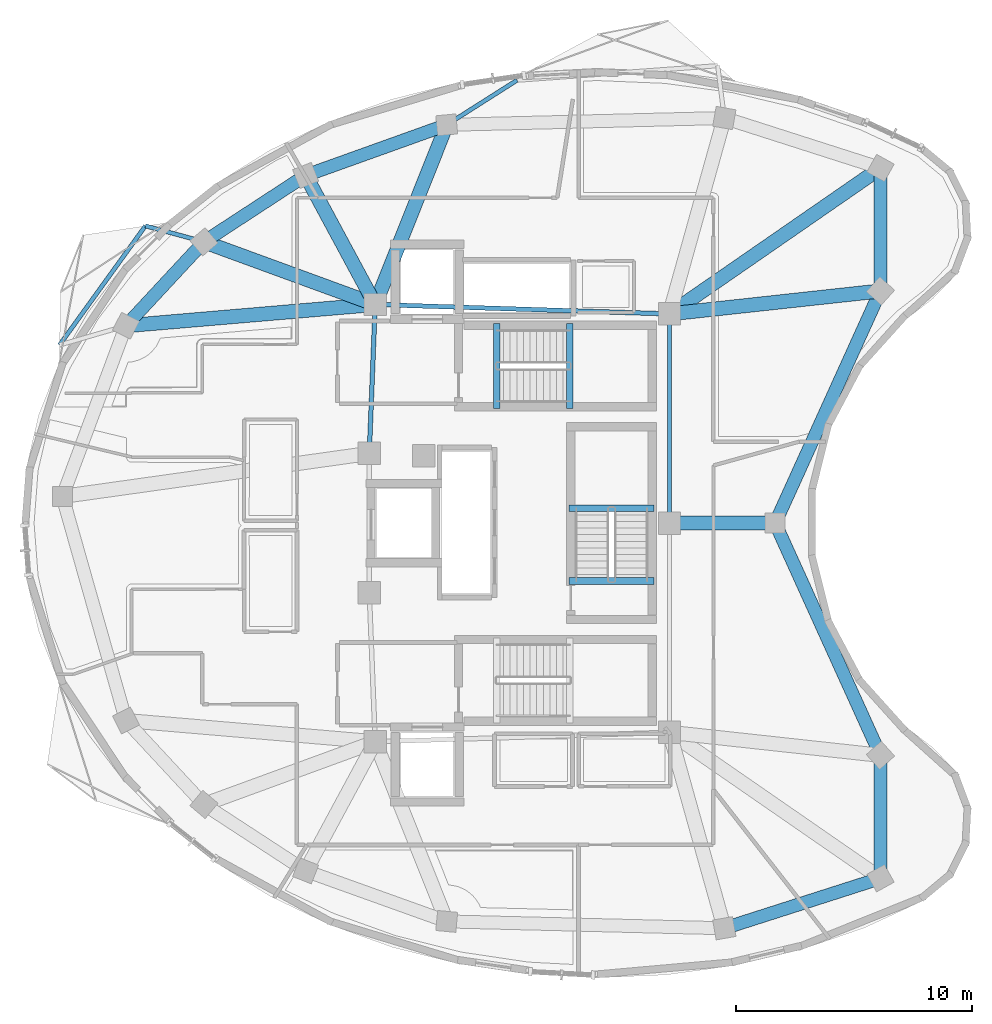
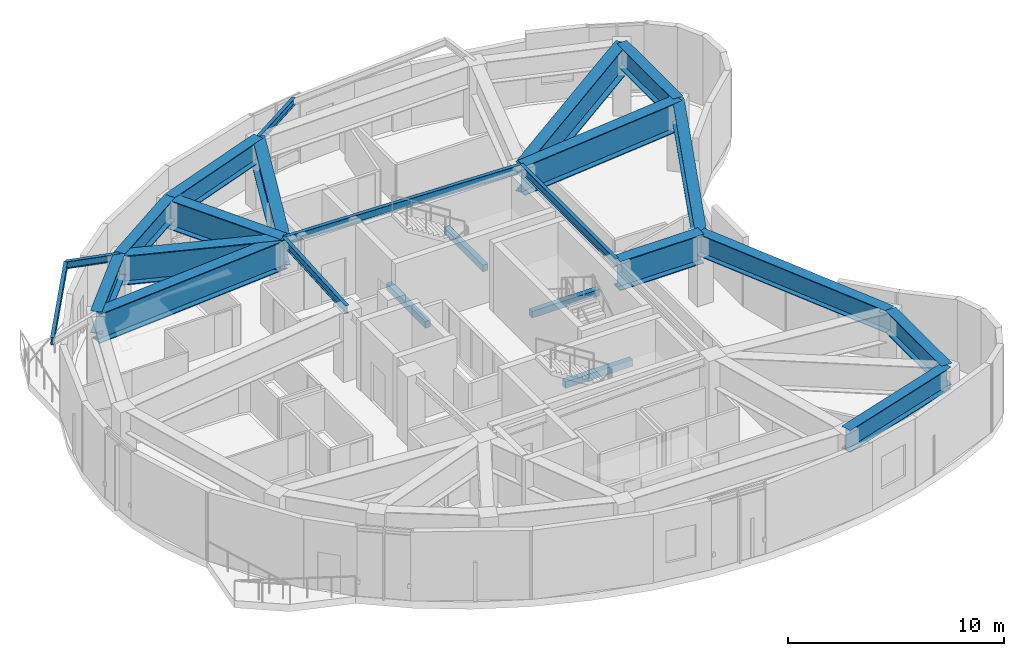
# One storey, part 3 of 12: 25 beams.
"""IFC4 building model written with IfcOpenShell, lengths in metres."""

from ifc_helpers import new_model, si_unit, direction, frame, origin, origin_2d, place, context, subcontext, project, spatial, rectangle, i_section, extrude, material, material_profile, profile_set, type_object, element, save


model = new_model("IFC4")

# Units and contexts
model_context = context("Model", 3, precision=1e-05, world=origin(), true_north=direction((0.0, 1.0)))
body_context = subcontext(model_context, "Body", "Model", "MODEL_VIEW")
ifc_project = project(units=[si_unit("LENGTHUNIT", "METRE"), si_unit("AREAUNIT", "SQUARE_METRE"), si_unit("VOLUMEUNIT", "CUBIC_METRE"), si_unit("PLANEANGLEUNIT", "RADIAN"), si_unit("MASSUNIT", "GRAM", prefix="KILO")], contexts=[model_context])

# Site, building, storey
site_placement = place(None, origin())
site = spatial("IfcSite", under=ifc_project, at=site_placement, CompositionType="ELEMENT")
building_placement = place(site_placement, origin())
building = spatial("IfcBuilding", under=site, at=building_placement, Name="Korentha Bioscience Tower", CompositionType="ELEMENT")
storey_placement = place(building_placement, frame((0.0, 0.0, 286.800048828125)))
storey = spatial("IfcBuildingStorey", under=building, at=storey_placement, Name="L66", CompositionType="ELEMENT", Elevation=286.800048828125)

# Beams
ifc_material_1 = material(Name="Concrete C50", Category="concrete")
ifc_material_profile_1 = material_profile(ifc_material_1, rectangle(XDim=0.280029296875, YDim=0.3798828125, at=origin_2d()), Name="Concrete C50")
ifc_profile_set_1 = profile_set([ifc_material_profile_1], Name="Concrete C50 (ST-HB380)")
beam_type_1 = type_object("IfcBeamType", Name="Concrete Stair Header Beam RC 280x380", PredefinedType="BEAM", material=ifc_profile_set_1)
for number, where, z_axis, x_axis, name in (
    (1, (30.25, 31.85009765625, -0.18994140625), (0.0, 1.0, 0.0), (-1.0, 0.0, 0.0), "L66 ST-1 Concrete Stair Header Beam"),
    (2, (33.330078125, 31.85009765625, 1.909912109375), (0.0, 1.0, 0.0), (-1.0, 0.0, 0.0), "L66 ST-1 Half-Landing Header Beam 1"),
    (3, (36.89990234375, 24.550048828125, -0.18994140625), (-1.0, 0.0, 0.0), (0.0, -1.0, 0.0), "L66 ST-3 Concrete Stair Header Beam"),
    (4, (36.89990234375, 27.6298828125, 1.909912109375), (-1.0, 0.0, 0.0), (0.0, -1.0, 0.0), "L66 ST-3 Half-Landing Header Beam 1"),
):
    element("IfcBeam", number, at=place(storey_placement, frame(where, z_axis=z_axis, x_axis=x_axis)), inside=storey, type_object=beam_type_1, Name=name, PredefinedType="BEAM", context=body_context, shape_type="SweptSolid", body=[
        extrude(rectangle(XDim=0.280029296875, YDim=0.3798828125, at=origin_2d()), origin(), (0.0, 0.0, 1.0), 3.599853515625),
    ])
ifc_material_2 = material(Name="Steel S355", Category="steel")
ifc_material_profile_2 = material_profile(ifc_material_2, i_section(OverallWidth=0.550048828125, OverallDepth=1.25, WebThickness=0.02392578125, FlangeThickness=0.0400390625, at=origin_2d()), Name="Steel S355")
ifc_profile_set_2 = profile_set([ifc_material_profile_2], Name="Steel S355 (TG-03)")
beam_type_2 = type_object("IfcBeamType", Name="Crown Step Transfer Girder CVS 1250x510", PredefinedType="USERDEFINED", material=ifc_profile_set_2)
beam_1_placement = place(storey_placement, frame((28.125732421875, 43.848876953125, 3.27490234375), z_axis=(-0.941344019681, -0.337448420668, 0.0), x_axis=(0.337448420668, -0.941344019681, 0.0)))
element("IfcBeam", 5, at=beam_1_placement, inside=storey, type_object=beam_type_2, Name="L66 Perimeter Spandrel Girder 03", ObjectType="TRANSFER_GIRDER", PredefinedType="USERDEFINED", context=body_context, shape_type="SweptSolid", body=[
    extrude(i_section(OverallWidth=0.550048828125, OverallDepth=1.25, WebThickness=0.02392578125, FlangeThickness=0.0400390625, at=origin_2d()), origin(), (0.0, 0.0, 1.0), 6.340576171875),
])
beam_2_placement = place(storey_placement, frame((22.156982421875, 41.709228515625, 3.27490234375), z_axis=(-0.837370389089, -0.546635922234, 0.0), x_axis=(0.546635922234, -0.837370389089, 0.0)))
element("IfcBeam", 6, at=beam_2_placement, inside=storey, type_object=beam_type_2, Name="L66 Perimeter Spandrel Girder 04", ObjectType="TRANSFER_GIRDER", PredefinedType="USERDEFINED", context=body_context, shape_type="SweptSolid", body=[
    extrude(i_section(OverallWidth=0.550048828125, OverallDepth=1.25, WebThickness=0.02392578125, FlangeThickness=0.0400390625, at=origin_2d()), origin(), (0.0, 0.0, 1.0), 5.137451171875),
])
beam_3_placement = place(storey_placement, frame((17.85498046875, 38.90087890625, 3.27490234375), z_axis=(-0.680655927259, -0.732603240976, 0.0), x_axis=(0.732603240976, -0.680655927259, 0.0)))
element("IfcBeam", 7, at=beam_3_placement, inside=storey, type_object=beam_type_2, Name="L66 Perimeter Spandrel Girder 05", ObjectType="TRANSFER_GIRDER", PredefinedType="USERDEFINED", context=body_context, shape_type="SweptSolid", body=[
    extrude(i_section(OverallWidth=0.550048828125, OverallDepth=1.25, WebThickness=0.02392578125, FlangeThickness=0.0400390625, at=origin_2d()), origin(), (0.0, 0.0, 1.0), 4.845458984375),
])
beam_4_placement = place(storey_placement, frame((39.869140625, 9.86181640625, 3.27490234375), z_axis=(0.952374693577, 0.304930226503, 0.0), x_axis=(-0.304930226503, 0.952374693577, 0.0)))
element("IfcBeam", 8, at=beam_4_placement, inside=storey, type_object=beam_type_2, Name="L66 Perimeter Spandrel Girder 12", ObjectType="TRANSFER_GIRDER", PredefinedType="USERDEFINED", context=body_context, shape_type="SweptSolid", body=[
    extrude(i_section(OverallWidth=0.550048828125, OverallDepth=1.25, WebThickness=0.02392578125, FlangeThickness=0.0400390625, at=origin_2d()), origin(), (0.0, 0.0, 1.0), 6.9375),
])
beam_5_placement = place(storey_placement, frame((46.476318359375, 11.977294921875, 3.27490234375), z_axis=(-0.00032863848, 0.999999945998, 0.0), x_axis=(-0.999999945998, -0.00032863848, 0.0)))
element("IfcBeam", 9, at=beam_5_placement, inside=storey, type_object=beam_type_2, Name="L66 Perimeter Spandrel Girder 13", ObjectType="TRANSFER_GIRDER", PredefinedType="USERDEFINED", context=body_context, shape_type="SweptSolid", body=[
    extrude(i_section(OverallWidth=0.550048828125, OverallDepth=1.25, WebThickness=0.02392578125, FlangeThickness=0.0400390625, at=origin_2d()), origin(), (0.0, 0.0, 1.0), 5.2001953125),
])
for number, where, z_axis, x_axis, name in (
    (10, (46.474609375, 17.177490234375, 3.27490234375), (-0.413001207092, 0.910730477661, 0.0), (-0.910730477661, -0.413001207092, 0.0), "L66 Perimeter Spandrel Girder 14"),
    (11, (42.020263671875, 27.0, 3.27490234375), (0.413001207092, 0.910730477661, 0.0), (-0.910730477661, 0.413001207092, 0.0), "L66 Perimeter Spandrel Girder 15"),
):
    element("IfcBeam", number, at=place(storey_placement, frame(where, z_axis=z_axis, x_axis=x_axis)), inside=storey, type_object=beam_type_2, Name=name, ObjectType="TRANSFER_GIRDER", PredefinedType="USERDEFINED", context=body_context, shape_type="SweptSolid", body=[
        extrude(i_section(OverallWidth=0.550048828125, OverallDepth=1.25, WebThickness=0.02392578125, FlangeThickness=0.0400390625, at=origin_2d()), origin(), (0.0, 0.0, 1.0), 10.785400390625),
    ])
beam_6_placement = place(storey_placement, frame((46.474609375, 36.822509765625, 3.27490234375), z_axis=(0.00032863848, 0.999999945998, 0.0), x_axis=(-0.999999945998, 0.00032863848, 0.0)))
element("IfcBeam", 12, at=beam_6_placement, inside=storey, type_object=beam_type_2, Name="L66 Perimeter Spandrel Girder 16", ObjectType="TRANSFER_GIRDER", PredefinedType="USERDEFINED", context=body_context, shape_type="SweptSolid", body=[
    extrude(i_section(OverallWidth=0.550048828125, OverallDepth=1.25, WebThickness=0.02392578125, FlangeThickness=0.0400390625, at=origin_2d()), origin(), (0.0, 0.0, 1.0), 5.2001953125),
])
ifc_material_profile_3 = material_profile(ifc_material_2, i_section(OverallWidth=0.60009765625, OverallDepth=1.64990234375, WebThickness=0.02587890625, FlangeThickness=0.0439453125, at=origin_2d()), Name="Steel S355")
ifc_profile_set_3 = profile_set([ifc_material_profile_3], Name="Steel S355 (TG-04)")
beam_type_3 = type_object("IfcBeamType", Name="Deep Setback Transfer Girder CVS 1650x620", PredefinedType="USERDEFINED", material=ifc_profile_set_3)
beam_7_placement = place(storey_placement, frame((37.550048828125, 35.85009765625, 3.074951171875), z_axis=(0.822499007629, 0.56876654477, 0.0), x_axis=(-0.56876654477, 0.822499007629, 0.0)))
element("IfcBeam", 13, at=beam_7_placement, inside=storey, type_object=beam_type_3, Name="L66 Radial Transfer Girder 01", ObjectType="TRANSFER_GIRDER", PredefinedType="USERDEFINED", context=body_context, shape_type="SweptSolid", body=[
    extrude(i_section(OverallWidth=0.60009765625, OverallDepth=1.64990234375, WebThickness=0.02587890625, FlangeThickness=0.0439453125, at=origin_2d()), origin(), (0.0, 0.0, 1.0), 10.8525390625),
])
beam_8_placement = place(storey_placement, frame((25.10009765625, 36.25, 3.074951171875), z_axis=(0.369923475736, 0.929062227248, 0.0), x_axis=(-0.929062227248, 0.369923475736, 0.0)))
element("IfcBeam", 14, at=beam_8_placement, inside=storey, type_object=beam_type_3, Name="L66 Radial Transfer Girder 03", ObjectType="TRANSFER_GIRDER", PredefinedType="USERDEFINED", context=body_context, shape_type="SweptSolid", body=[
    extrude(i_section(OverallWidth=0.60009765625, OverallDepth=1.64990234375, WebThickness=0.02587890625, FlangeThickness=0.0439453125, at=origin_2d()), origin(), (0.0, 0.0, 1.0), 8.17919921875),
])
beam_9_placement = place(storey_placement, frame((25.10009765625, 36.25, 3.074951171875), z_axis=(-0.474541081143, 0.880233356734, 0.0), x_axis=(-0.880233356734, -0.474541081143, 0.0)))
element("IfcBeam", 15, at=beam_9_placement, inside=storey, type_object=beam_type_3, Name="L66 Radial Transfer Girder 04", ObjectType="TRANSFER_GIRDER", PredefinedType="USERDEFINED", context=body_context, shape_type="SweptSolid", body=[
    extrude(i_section(OverallWidth=0.60009765625, OverallDepth=1.64990234375, WebThickness=0.02587890625, FlangeThickness=0.0439453125, at=origin_2d()), origin(), (0.0, 0.0, 1.0), 6.201904296875),
])
beam_10_placement = place(storey_placement, frame((25.10009765625, 36.25, 3.074951171875), z_axis=(-0.939113387984, 0.343607398798, 0.0), x_axis=(-0.343607398798, -0.939113387984, 0.0)))
element("IfcBeam", 16, at=beam_10_placement, inside=storey, type_object=beam_type_3, Name="L66 Radial Transfer Girder 05", ObjectType="TRANSFER_GIRDER", PredefinedType="USERDEFINED", context=body_context, shape_type="SweptSolid", body=[
    extrude(i_section(OverallWidth=0.60009765625, OverallDepth=1.64990234375, WebThickness=0.02587890625, FlangeThickness=0.0439453125, at=origin_2d()), origin(), (0.0, 0.0, 1.0), 7.71484375),
])
beam_11_placement = place(storey_placement, frame((25.10009765625, 36.25, 3.074951171875), z_axis=(-0.996384971169, -0.084952864741, 0.0), x_axis=(0.084952864741, -0.996384971169, 0.0)))
element("IfcBeam", 17, at=beam_11_placement, inside=storey, type_object=beam_type_3, Name="L66 Radial Transfer Girder 06", ObjectType="TRANSFER_GIRDER", PredefinedType="USERDEFINED", context=body_context, shape_type="SweptSolid", body=[
    extrude(i_section(OverallWidth=0.60009765625, OverallDepth=1.64990234375, WebThickness=0.02587890625, FlangeThickness=0.0439453125, at=origin_2d()), origin(), (0.0, 0.0, 1.0), 10.58154296875),
])
beam_12_placement = place(storey_placement, frame((37.550048828125, 27.0, 3.074951171875), z_axis=(1.0, 0.0, 0.0), x_axis=(0.0, 1.0, 0.0)))
element("IfcBeam", 18, at=beam_12_placement, inside=storey, type_object=beam_type_3, Name="L66 Radial Transfer Girder 15", ObjectType="TRANSFER_GIRDER", PredefinedType="USERDEFINED", context=body_context, shape_type="SweptSolid", body=[
    extrude(i_section(OverallWidth=0.60009765625, OverallDepth=1.64990234375, WebThickness=0.02587890625, FlangeThickness=0.0439453125, at=origin_2d()), origin(), (0.0, 0.0, 1.0), 4.47021484375),
])
beam_13_placement = place(storey_placement, frame((37.550048828125, 35.85009765625, 3.074951171875), z_axis=(0.994116294337, 0.108318019432, 0.0), x_axis=(-0.108318019432, 0.994116294337, 0.0)))
element("IfcBeam", 19, at=beam_13_placement, inside=storey, type_object=beam_type_3, Name="L66 Radial Transfer Girder 16", ObjectType="TRANSFER_GIRDER", PredefinedType="USERDEFINED", context=body_context, shape_type="SweptSolid", body=[
    extrude(i_section(OverallWidth=0.60009765625, OverallDepth=1.64990234375, WebThickness=0.02587890625, FlangeThickness=0.0439453125, at=origin_2d()), origin(), (0.0, 0.0, 1.0), 8.977294921875),
])
ifc_material_profile_4 = material_profile(ifc_material_2, i_section(OverallWidth=0.18994140625, OverallDepth=0.45703125, WebThickness=0.009033203125, FlangeThickness=0.014404296875, at=origin_2d()), Name="Steel S355")
ifc_profile_set_4 = profile_set([ifc_material_profile_4], Name="Steel S355 (MB-460)")
beam_type_4 = type_object("IfcBeamType", Name="Mid-Ring Tie Girder W460x74", PredefinedType="BEAM", material=ifc_profile_set_4)
beam_14_placement = place(storey_placement, frame((37.550048828125, 35.85009765625, 3.67138671875), z_axis=(-0.999484526071, 0.032104238723, 0.0), x_axis=(-0.032104238723, -0.999484526071, 0.0)))
element("IfcBeam", 20, at=beam_14_placement, inside=storey, type_object=beam_type_4, Name="L66 Core Ring Tie Girder 01", PredefinedType="BEAM", context=body_context, shape_type="SweptSolid", body=[
    extrude(i_section(OverallWidth=0.18994140625, OverallDepth=0.45703125, WebThickness=0.009033203125, FlangeThickness=0.014404296875, at=origin_2d()), origin(), (0.0, 0.0, 1.0), 12.456298828125),
])
beam_15_placement = place(storey_placement, frame((25.10009765625, 36.25, 3.67138671875), z_axis=(-0.039651025576, -0.999213588864, 0.0), x_axis=(0.999213588864, -0.039651025576, 0.0)))
element("IfcBeam", 21, at=beam_15_placement, inside=storey, type_object=beam_type_4, Name="L66 Core Ring Tie Girder 02", PredefinedType="BEAM", context=body_context, shape_type="SweptSolid", body=[
    extrude(i_section(OverallWidth=0.18994140625, OverallDepth=0.45703125, WebThickness=0.009033203125, FlangeThickness=0.014404296875, at=origin_2d()), origin(), (0.0, 0.0, 1.0), 6.304931640625),
])
beam_16_placement = place(storey_placement, frame((37.550048828125, 27.0, 3.67138671875), z_axis=(0.0, 1.0, 0.0), x_axis=(-1.0, 0.0, 0.0)))
element("IfcBeam", 22, at=beam_16_placement, inside=storey, type_object=beam_type_4, Name="L66 Core Ring Tie Girder 07", PredefinedType="BEAM", context=body_context, shape_type="SweptSolid", body=[
    extrude(i_section(OverallWidth=0.18994140625, OverallDepth=0.45703125, WebThickness=0.009033203125, FlangeThickness=0.014404296875, at=origin_2d()), origin(), (0.0, 0.0, 1.0), 8.85009765625),
])
ifc_material_profile_5 = material_profile(ifc_material_2, i_section(OverallWidth=0.177978515625, OverallDepth=0.406982421875, WebThickness=0.0078125, FlangeThickness=0.0126953125, at=origin_2d()), Name="Steel S355")
ifc_profile_set_5 = profile_set([ifc_material_profile_5], Name="Steel S355 (CB-410)")
beam_type_5 = type_object("IfcBeamType", Name="Sun-Ledge Cantilever Beam W410x60", PredefinedType="BEAM", material=ifc_profile_set_5)
beam_17_placement = place(storey_placement, frame((28.125732421875, 43.848876953125, 3.698486328125), z_axis=(0.844240709946, 0.535964199989, 0.0), x_axis=(-0.535964199989, 0.844240709946, 0.0)))
element("IfcBeam", 23, at=beam_17_placement, inside=storey, type_object=beam_type_5, Name="L66 Balcony Cantilever Bracket B-L67-01", PredefinedType="BEAM", context=body_context, shape_type="SweptSolid", body=[
    extrude(i_section(OverallWidth=0.177978515625, OverallDepth=0.406982421875, WebThickness=0.0078125, FlangeThickness=0.0126953125, at=origin_2d()), origin(), (0.0, 0.0, 1.0), 3.520263671875),
])
beam_18_placement = place(storey_placement, frame((17.85498046875, 38.90087890625, 3.698486328125), z_axis=(-0.965015941255, 0.262191214809, 0.0), x_axis=(-0.262191214809, -0.965015941255, 0.0)))
element("IfcBeam", 24, at=beam_18_placement, inside=storey, type_object=beam_type_5, Name="L66 Balcony Cantilever Bracket A-L67-02", PredefinedType="BEAM", context=body_context, shape_type="SweptSolid", body=[
    extrude(i_section(OverallWidth=0.177978515625, OverallDepth=0.406982421875, WebThickness=0.0078125, FlangeThickness=0.0126953125, at=origin_2d()), origin(), (0.0, 0.0, 1.0), 2.5654296875),
])
beam_19_placement = place(storey_placement, frame((15.37939453125, 39.573486328125, 3.698486328125), z_axis=(-0.584965169678, -0.811058413595, 0.0), x_axis=(0.811058413595, -0.584965169678, 0.0)))
element("IfcBeam", 25, at=beam_19_placement, inside=storey, type_object=beam_type_5, Name="L66 Balcony Edge Trimmer Beam L67-02", PredefinedType="BEAM", context=body_context, shape_type="SweptSolid", body=[
    extrude(i_section(OverallWidth=0.177978515625, OverallDepth=0.406982421875, WebThickness=0.0078125, FlangeThickness=0.0126953125, at=origin_2d()), origin(), (0.0, 0.0, 1.0), 6.211181640625),
])

save(model, "model.ifc")
